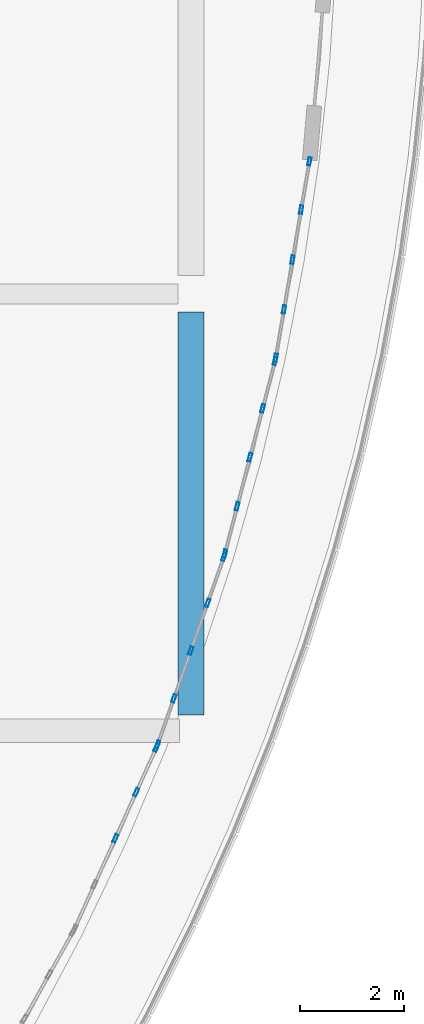
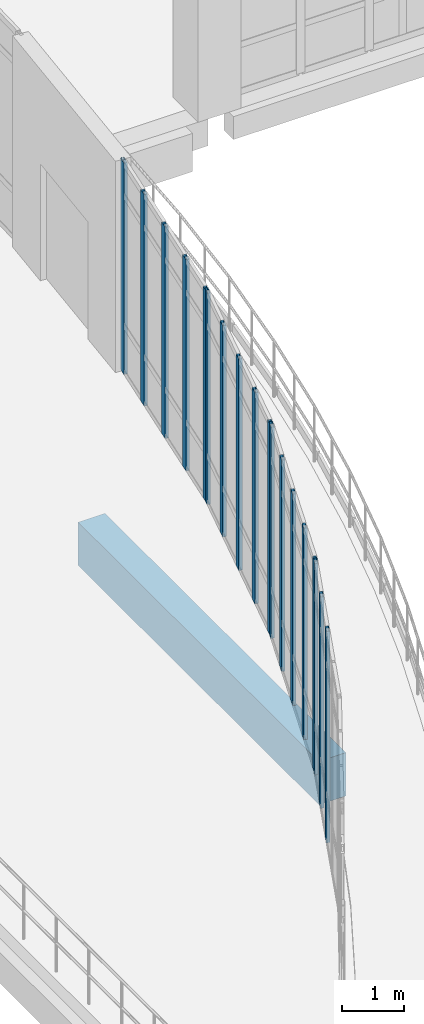
# One storey, part 66 of 116: 18 members, 1 beam, 4 elements without a shape of their own.
"""IFC4 building model written with IfcOpenShell, lengths in metres."""

from ifc_helpers import new_model, si_unit, direction, frame, origin, origin_2d, place, context, subcontext, project, spatial, rectangle, hollow_rectangle, extrude, material, material_profile, profile_set, type_object, element, aggregate, save


model = new_model("IFC4")

# Units and contexts
model_context = context("Model", 3, precision=1e-05, world=origin(), true_north=direction((0.0, 1.0)))
body_context = subcontext(model_context, "Body", "Model", "MODEL_VIEW")
ifc_project = project(units=[si_unit("LENGTHUNIT", "METRE"), si_unit("AREAUNIT", "SQUARE_METRE"), si_unit("VOLUMEUNIT", "CUBIC_METRE"), si_unit("PLANEANGLEUNIT", "RADIAN"), si_unit("MASSUNIT", "GRAM", prefix="KILO")], contexts=[model_context])

# Site, building, storey
site_placement = place(None, origin())
site = spatial("IfcSite", under=ifc_project, at=site_placement, CompositionType="ELEMENT")
building_placement = place(site_placement, origin())
building = spatial("IfcBuilding", under=site, at=building_placement, Name="Kalluvel Institute of Natural Sciences", CompositionType="ELEMENT")
storey_placement = place(building_placement, frame((0.0, 0.0, 14.39990234375)))
storey = spatial("IfcBuildingStorey", under=building, at=storey_placement, Name="L03", CompositionType="ELEMENT", Elevation=14.39990234375)

# Beam
ifc_material_1 = material(Name="Concrete M50", Category="concrete")
ifc_material_profile_1 = material_profile(ifc_material_1, rectangle(XDim=0.5, YDim=0.85009765625, at=origin_2d()), Name="RCB 500x850")
ifc_profile_set_1 = profile_set([ifc_material_profile_1], Name="Concrete M50")
beam_type = type_object("IfcBeamType", Name="BM-RC500x850", PredefinedType="BEAM", material=ifc_profile_set_1)
beam_placement = place(storey_placement, frame((78.800048828125, 86.300048828125, -0.744873046875), z_axis=(0.0, 1.0, 0.0), x_axis=(-1.0, 0.0, 0.0)))
element("IfcBeam", 1, at=beam_placement, inside=storey, type_object=beam_type, Name="L03 girder GIR-L03-NS-X788-Y860", PredefinedType="BEAM", context=body_context, shape_type="SweptSolid", body=[
    extrude(rectangle(XDim=0.5, YDim=0.85009765625, at=origin_2d()), origin(), (0.0, 0.0, 1.0), 7.75),
])

# Curtain wall, members
ifc_material_2 = material(Name="Aluminium AW-6063 T6", Category="aluminium")
curtain_wall_type = type_object("IfcCurtainWallType", Name="CW-ATR-ARC", PredefinedType="USERDEFINED", material=ifc_material_2)
curtain_wall_1_placement = place(storey_placement, origin())
curtain_wall_1 = element("IfcCurtainWall", 2, at=curtain_wall_1_placement, inside=storey, type_object=curtain_wall_type, Name="L03 Gothic lancet curtain wall CWA-L03-X765-Y822", ObjectType="UNITISED LANCET FACADE", PredefinedType="USERDEFINED")
ifc_material_profile_2 = material_profile(ifc_material_2, hollow_rectangle(XDim=0.06005859375, YDim=0.159912109375, WallThickness=0.00390625, at=origin_2d()), Name="CWM 60x160")
ifc_profile_set_2 = profile_set([ifc_material_profile_2], Name="Aluminium AW-6063 T6")
member_type = type_object("IfcMemberType", Name="CWM-60x160", PredefinedType="MULLION", material=ifc_profile_set_2)
member_1_placement = place(storey_placement, frame((77.34228515625, 83.931396484375, 0.0), z_axis=(0.0, 0.0, 1.0), x_axis=(-0.911231255581, 0.411895130891, 0.0)))
member_1 = element("IfcMember", 3, at=member_1_placement, type_object=member_type, Name="CW-05 mullion 3", PredefinedType="MULLION", context=body_context, shape_type="SweptSolid", body=[
    extrude(hollow_rectangle(XDim=0.06005859375, YDim=0.159912109375, WallThickness=0.00390625, at=origin_2d()), origin(), (0.0, 0.0, 1.0), 4.150146484375),
])
member_2_placement = place(storey_placement, frame((77.742919921875, 84.81787109375, 0.0), z_axis=(0.0, 0.0, 1.0), x_axis=(-0.911231255581, 0.411895130891, 0.0)))
member_2 = element("IfcMember", 4, at=member_2_placement, type_object=member_type, Name="CW-05 mullion 4", PredefinedType="MULLION", context=body_context, shape_type="SweptSolid", body=[
    extrude(hollow_rectangle(XDim=0.06005859375, YDim=0.159912109375, WallThickness=0.00390625, at=origin_2d()), origin(), (0.0, 0.0, 1.0), 4.150146484375),
])
member_3_placement = place(storey_placement, frame((78.13134765625, 85.67724609375, 0.0), z_axis=(0.0, 0.0, 1.0), x_axis=(-0.911231255581, 0.411895130891, 0.0)))
member_3 = element("IfcMember", 5, at=member_3_placement, type_object=member_type, Name="CW-05 mullion 5", PredefinedType="MULLION", context=body_context, shape_type="SweptSolid", body=[
    extrude(hollow_rectangle(XDim=0.06005859375, YDim=0.159912109375, WallThickness=0.00390625, at=origin_2d()), origin(), (0.0, 0.0, 1.0), 4.150146484375),
])
aggregate(curtain_wall_1, [member_1, member_2, member_3])

curtain_wall_2_placement = place(storey_placement, origin())
curtain_wall_2 = element("IfcCurtainWall", 6, at=curtain_wall_2_placement, inside=storey, type_object=curtain_wall_type, Name="L03 Gothic lancet curtain wall CWA-L03-X781-Y857", ObjectType="UNITISED LANCET FACADE", PredefinedType="USERDEFINED")
member_4_placement = place(storey_placement, frame((78.15380859375, 85.732666015625, 0.0), z_axis=(0.0, 0.0, 1.0), x_axis=(-0.942881655341, 0.333127879381, 0.0)))
member_4 = element("IfcMember", 7, at=member_4_placement, type_object=member_type, Name="CW-05 mullion 1", PredefinedType="MULLION", context=body_context, shape_type="SweptSolid", body=[
    extrude(hollow_rectangle(XDim=0.06005859375, YDim=0.159912109375, WallThickness=0.00390625, at=origin_2d()), origin(), (0.0, 0.0, 1.0), 4.150146484375),
])
member_5_placement = place(storey_placement, frame((78.4677734375, 86.621826171875, 0.0), z_axis=(0.0, 0.0, 1.0), x_axis=(-0.942881655341, 0.333127879381, 0.0)))
member_5 = element("IfcMember", 8, at=member_5_placement, type_object=member_type, Name="CW-05 mullion 2", PredefinedType="MULLION", context=body_context, shape_type="SweptSolid", body=[
    extrude(hollow_rectangle(XDim=0.06005859375, YDim=0.159912109375, WallThickness=0.00390625, at=origin_2d()), origin(), (0.0, 0.0, 1.0), 4.150146484375),
])
member_6_placement = place(storey_placement, frame((78.7919921875, 87.539306640625, 0.0), z_axis=(0.0, 0.0, 1.0), x_axis=(-0.942881655341, 0.333127879381, 0.0)))
member_6 = element("IfcMember", 9, at=member_6_placement, type_object=member_type, Name="CW-05 mullion 3", PredefinedType="MULLION", context=body_context, shape_type="SweptSolid", body=[
    extrude(hollow_rectangle(XDim=0.06005859375, YDim=0.159912109375, WallThickness=0.00390625, at=origin_2d()), origin(), (0.0, 0.0, 1.0), 4.150146484375),
])
member_7_placement = place(storey_placement, frame((79.115966796875, 88.456787109375, 0.0), z_axis=(0.0, 0.0, 1.0), x_axis=(-0.942881655341, 0.333127879381, 0.0)))
member_7 = element("IfcMember", 10, at=member_7_placement, type_object=member_type, Name="CW-05 mullion 4", PredefinedType="MULLION", context=body_context, shape_type="SweptSolid", body=[
    extrude(hollow_rectangle(XDim=0.06005859375, YDim=0.159912109375, WallThickness=0.00390625, at=origin_2d()), origin(), (0.0, 0.0, 1.0), 4.150146484375),
])
member_8_placement = place(storey_placement, frame((79.43017578125, 89.345703125, 0.0), z_axis=(0.0, 0.0, 1.0), x_axis=(-0.942881655341, 0.333127879381, 0.0)))
member_8 = element("IfcMember", 11, at=member_8_placement, type_object=member_type, Name="CW-05 mullion 5", PredefinedType="MULLION", context=body_context, shape_type="SweptSolid", body=[
    extrude(hollow_rectangle(XDim=0.06005859375, YDim=0.159912109375, WallThickness=0.00390625, at=origin_2d()), origin(), (0.0, 0.0, 1.0), 4.150146484375),
])
aggregate(curtain_wall_2, [member_4, member_5, member_6, member_7, member_8])

curtain_wall_3_placement = place(storey_placement, origin())
curtain_wall_3 = element("IfcCurtainWall", 12, at=curtain_wall_3_placement, inside=storey, type_object=curtain_wall_type, Name="L03 Gothic lancet curtain wall CWA-L03-X794-Y894", ObjectType="UNITISED LANCET FACADE", PredefinedType="USERDEFINED")
member_9_placement = place(storey_placement, frame((79.44775390625, 89.403076171875, 0.0), z_axis=(0.0, 0.0, 1.0), x_axis=(-0.967730957408, 0.251985702123, 0.0)))
member_9 = element("IfcMember", 13, at=member_9_placement, type_object=member_type, Name="CW-05 mullion 1", PredefinedType="MULLION", context=body_context, shape_type="SweptSolid", body=[
    extrude(hollow_rectangle(XDim=0.06005859375, YDim=0.159912109375, WallThickness=0.00390625, at=origin_2d()), origin(), (0.0, 0.0, 1.0), 4.150146484375),
])
member_10_placement = place(storey_placement, frame((79.685302734375, 90.315673828125, 0.0), z_axis=(0.0, 0.0, 1.0), x_axis=(-0.967730957408, 0.251985702123, 0.0)))
member_10 = element("IfcMember", 14, at=member_10_placement, type_object=member_type, Name="CW-05 mullion 2", PredefinedType="MULLION", context=body_context, shape_type="SweptSolid", body=[
    extrude(hollow_rectangle(XDim=0.06005859375, YDim=0.159912109375, WallThickness=0.00390625, at=origin_2d()), origin(), (0.0, 0.0, 1.0), 4.150146484375),
])
member_11_placement = place(storey_placement, frame((79.9306640625, 91.25732421875, 0.0), z_axis=(0.0, 0.0, 1.0), x_axis=(-0.967730957408, 0.251985702123, 0.0)))
member_11 = element("IfcMember", 15, at=member_11_placement, type_object=member_type, Name="CW-05 mullion 3", PredefinedType="MULLION", context=body_context, shape_type="SweptSolid", body=[
    extrude(hollow_rectangle(XDim=0.06005859375, YDim=0.159912109375, WallThickness=0.00390625, at=origin_2d()), origin(), (0.0, 0.0, 1.0), 4.150146484375),
])
member_12_placement = place(storey_placement, frame((80.17578125, 92.19873046875, 0.0), z_axis=(0.0, 0.0, 1.0), x_axis=(-0.967730957408, 0.251985702123, 0.0)))
member_12 = element("IfcMember", 16, at=member_12_placement, type_object=member_type, Name="CW-05 mullion 4", PredefinedType="MULLION", context=body_context, shape_type="SweptSolid", body=[
    extrude(hollow_rectangle(XDim=0.06005859375, YDim=0.159912109375, WallThickness=0.00390625, at=origin_2d()), origin(), (0.0, 0.0, 1.0), 4.150146484375),
])
member_13_placement = place(storey_placement, frame((80.413330078125, 93.111328125, 0.0), z_axis=(0.0, 0.0, 1.0), x_axis=(-0.967730957408, 0.251985702123, 0.0)))
member_13 = element("IfcMember", 17, at=member_13_placement, type_object=member_type, Name="CW-05 mullion 5", PredefinedType="MULLION", context=body_context, shape_type="SweptSolid", body=[
    extrude(hollow_rectangle(XDim=0.06005859375, YDim=0.159912109375, WallThickness=0.00390625, at=origin_2d()), origin(), (0.0, 0.0, 1.0), 4.150146484375),
])
aggregate(curtain_wall_3, [member_9, member_10, member_11, member_12, member_13])

curtain_wall_4_placement = place(storey_placement, origin())
curtain_wall_4 = element("IfcCurtainWall", 18, at=curtain_wall_4_placement, inside=storey, type_object=curtain_wall_type, Name="L03 Gothic lancet curtain wall CWA-L03-X804-Y931", ObjectType="UNITISED LANCET FACADE", PredefinedType="USERDEFINED")
member_14_placement = place(storey_placement, frame((80.426025390625, 93.169921875, 0.0), z_axis=(0.0, 0.0, 1.0), x_axis=(-0.985616507972, 0.168997334927, 0.0)))
member_14 = element("IfcMember", 19, at=member_14_placement, type_object=member_type, Name="CW-05 mullion 1", PredefinedType="MULLION", context=body_context, shape_type="SweptSolid", body=[
    extrude(hollow_rectangle(XDim=0.06005859375, YDim=0.159912109375, WallThickness=0.00390625, at=origin_2d()), origin(), (0.0, 0.0, 1.0), 4.150146484375),
])
member_15_placement = place(storey_placement, frame((80.585205078125, 94.099365234375, 0.0), z_axis=(0.0, 0.0, 1.0), x_axis=(-0.985616507972, 0.168997334927, 0.0)))
member_15 = element("IfcMember", 20, at=member_15_placement, type_object=member_type, Name="CW-05 mullion 2", PredefinedType="MULLION", context=body_context, shape_type="SweptSolid", body=[
    extrude(hollow_rectangle(XDim=0.06005859375, YDim=0.159912109375, WallThickness=0.00390625, at=origin_2d()), origin(), (0.0, 0.0, 1.0), 4.150146484375),
])
member_16_placement = place(storey_placement, frame((80.749755859375, 95.058349609375, 0.0), z_axis=(0.0, 0.0, 1.0), x_axis=(-0.985616507972, 0.168997334927, 0.0)))
member_16 = element("IfcMember", 21, at=member_16_placement, type_object=member_type, Name="CW-05 mullion 3", PredefinedType="MULLION", context=body_context, shape_type="SweptSolid", body=[
    extrude(hollow_rectangle(XDim=0.06005859375, YDim=0.159912109375, WallThickness=0.00390625, at=origin_2d()), origin(), (0.0, 0.0, 1.0), 4.150146484375),
])
member_17_placement = place(storey_placement, frame((80.9140625, 96.017333984375, 0.0), z_axis=(0.0, 0.0, 1.0), x_axis=(-0.985616507972, 0.168997334927, 0.0)))
member_17 = element("IfcMember", 22, at=member_17_placement, type_object=member_type, Name="CW-05 mullion 4", PredefinedType="MULLION", context=body_context, shape_type="SweptSolid", body=[
    extrude(hollow_rectangle(XDim=0.06005859375, YDim=0.159912109375, WallThickness=0.00390625, at=origin_2d()), origin(), (0.0, 0.0, 1.0), 4.150146484375),
])
member_18_placement = place(storey_placement, frame((81.073486328125, 96.946533203125, 0.0), z_axis=(0.0, 0.0, 1.0), x_axis=(-0.985616507972, 0.168997334927, 0.0)))
member_18 = element("IfcMember", 23, at=member_18_placement, type_object=member_type, Name="CW-05 mullion 5", PredefinedType="MULLION", context=body_context, shape_type="SweptSolid", body=[
    extrude(hollow_rectangle(XDim=0.06005859375, YDim=0.159912109375, WallThickness=0.00390625, at=origin_2d()), origin(), (0.0, 0.0, 1.0), 4.150146484375),
])
aggregate(curtain_wall_4, [member_14, member_15, member_16, member_17, member_18])

save(model, "model.ifc")
